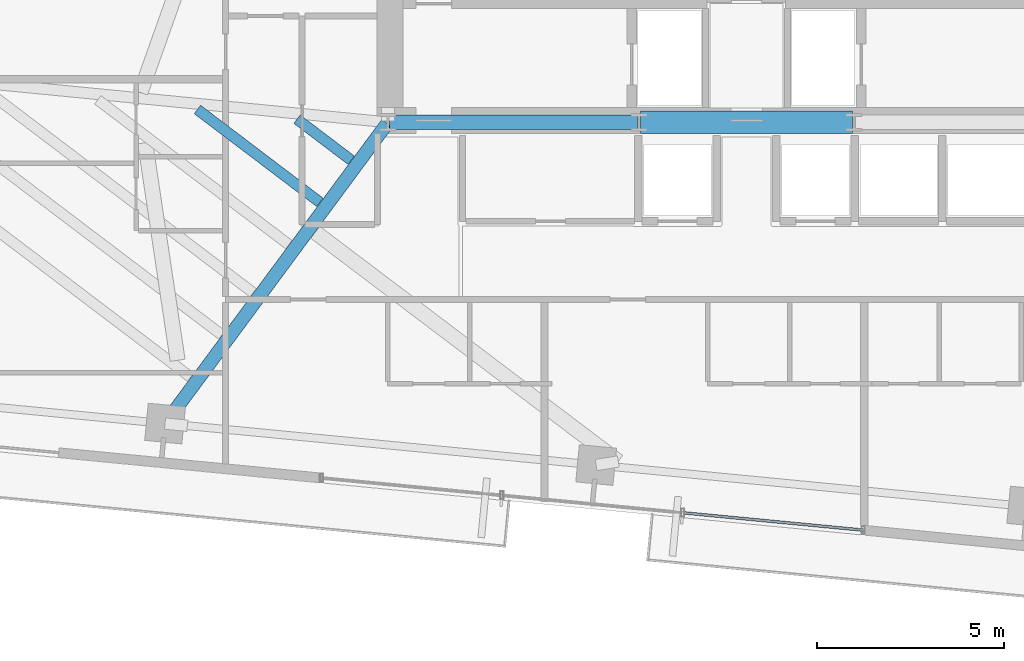
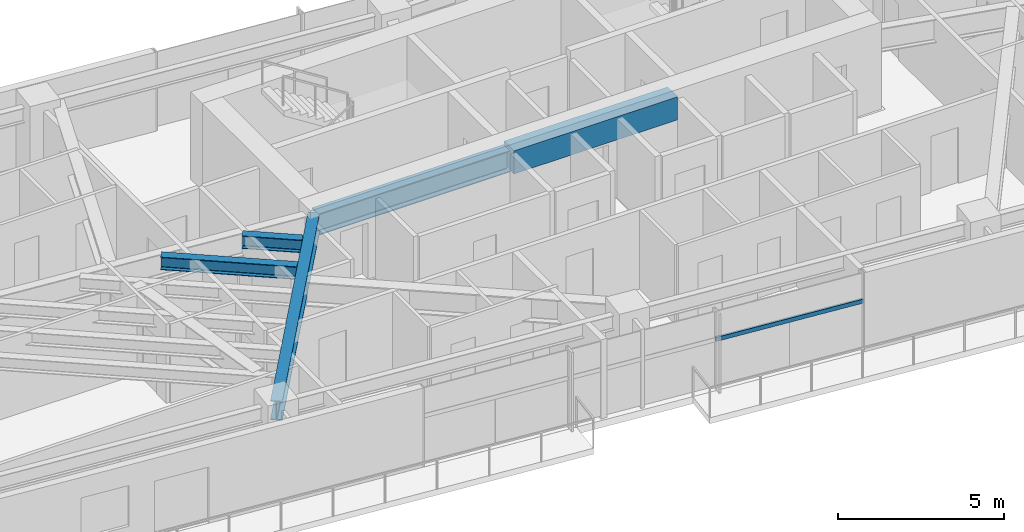
# One storey, part 5 of 20: 5 beams, 1 member, 1 element without a shape of its own.
"""IFC4 building model written with IfcOpenShell, lengths in metres."""

import ifcopenshell
import ifcopenshell.guid

model = None  # the IFC model being written
_history = None  # IfcOwnerHistory: only IFC2X3 demands one
_inside = {}  # id of a spatial element -> (the spatial element, [elements in it])
_under = {}  # id of a project, library or spatial element -> (it, [spatial elements below it])
_declared = {}  # id of a project -> (the project, [libraries it declares])
_typed = {}  # id of a type object -> (the type object, [elements of that type])
_made_of = {}  # id of a material, layer set ... -> (it, [elements and type objects made of it])


def new_model(schema):
    """Start an empty IFC model of exactly this schema.

    Asked for "IFC4X3", IfcOpenShell would pick the latest addendum, in which some entities
    have other attributes; the version numbers below select the first issue.
    IFC2X3 requires an IfcOwnerHistory on every rooted entity: one is made here for all.
    """
    global model, _history
    if schema == "IFC4X3":
        model = ifcopenshell.file(schema_version=(4, 3, 0, 0))
    else:
        model = ifcopenshell.file(schema=schema)
    _inside.clear()
    _under.clear()
    _declared.clear()
    _typed.clear()
    _made_of.clear()
    _history = None
    if model.schema == "IFC2X3":
        org = make("IfcOrganization", Name="unknown")
        user = make(
            "IfcPersonAndOrganization",
            ThePerson=make("IfcPerson", FamilyName="unknown"),
            TheOrganization=org,
        )
        app = make(
            "IfcApplication",
            ApplicationDeveloper=org,
            Version="unknown",
            ApplicationFullName="unknown",
            ApplicationIdentifier="unknown",
        )
        _history = make(
            "IfcOwnerHistory",
            OwningUser=user,
            OwningApplication=app,
            ChangeAction="ADDED",
            CreationDate=0,
        )
    return model


def make(cls, **values):
    """One entity of the class cls with the attributes given. An attribute that is None is left unset."""
    return model.create_entity(
        cls, **{name: value for name, value in values.items() if value is not None}
    )


def rooted(cls, **values):
    """An entity with a GlobalId (a new one), such as an element, a storey or a relation."""
    return make(cls, GlobalId=ifcopenshell.guid.new(), OwnerHistory=_history, **values)


def si_unit(unit_type, name, prefix=None):
    """IfcSIUnit, for example si_unit("LENGTHUNIT", "METRE", prefix="MILLI")."""
    return make("IfcSIUnit", UnitType=unit_type, Prefix=prefix, Name=name)


def assignment(units):
    """IfcUnitAssignment: the units of a project."""
    return None if units is None else make("IfcUnitAssignment", Units=units)


def point(xyz):
    """IfcCartesianPoint."""
    return None if xyz is None else make("IfcCartesianPoint", Coordinates=xyz)


def direction(xyz):
    """IfcDirection."""
    return None if xyz is None else make("IfcDirection", DirectionRatios=xyz)


def frame(location, z_axis=None, x_axis=None):
    """IfcAxis2Placement3D, a coordinate frame: its origin and axes. An axis left out is left unset."""
    return make(
        "IfcAxis2Placement3D",
        Location=point(location),
        Axis=direction(z_axis),
        RefDirection=direction(x_axis),
    )


def frame_2d(location, x_axis=None):
    """IfcAxis2Placement2D, a coordinate frame in the plane: its origin and x axis."""
    return make(
        "IfcAxis2Placement2D", Location=point(location), RefDirection=direction(x_axis)
    )


def origin():
    """The frame at (0, 0, 0) with its axes left unset."""
    return frame((0.0, 0.0, 0.0))


def origin_2d():
    """The frame at (0, 0) in the plane with its x axis left unset."""
    return frame_2d((0.0, 0.0))


def place(relative_to, where):
    """IfcLocalPlacement: puts the frame where relative to a parent placement (None: the world)."""
    return make(
        "IfcLocalPlacement", PlacementRelTo=relative_to, RelativePlacement=where
    )


def context(
    kind, dimensions, precision=None, world=None, true_north=None, identifier=None
):
    """IfcGeometricRepresentationContext, for example the 3D "Model" context."""
    return make(
        "IfcGeometricRepresentationContext",
        ContextIdentifier=identifier,
        ContextType=kind,
        CoordinateSpaceDimension=dimensions,
        Precision=precision,
        WorldCoordinateSystem=world,
        TrueNorth=true_north,
    )


def subcontext(parent, identifier, kind, view, scale=None):
    """IfcGeometricRepresentationSubContext, for example "Body" below "Model"."""
    return make(
        "IfcGeometricRepresentationSubContext",
        ContextIdentifier=identifier,
        ContextType=kind,
        ParentContext=parent,
        TargetScale=scale,
        TargetView=view,
    )


def project(units=None, contexts=None):
    """IfcProject with its units and contexts."""
    return rooted(
        "IfcProject",
        Name="project",
        RepresentationContexts=contexts,
        UnitsInContext=assignment(units),
    )


def spatial(cls, under=None, at=None, **own):
    """A site, building, storey or space (cls), placed at a placement, below another one or the project."""
    s = rooted(cls, ObjectPlacement=at, **own)
    if under is not None:
        _under.setdefault(under.id(), (under, []))[1].append(s)
    return s


def profile(cls, at=None, kind="AREA", **sizes):
    """A parametric profile (cls). Its sizes go by their IFC names, for example OverallWidth=200.0."""
    return make(cls, ProfileType=kind, Position=at, **sizes)


def rectangle(**sizes):
    """IfcRectangleProfileDef."""
    return profile("IfcRectangleProfileDef", **sizes)


def hollow_rectangle(**sizes):
    """IfcRectangleHollowProfileDef."""
    return profile("IfcRectangleHollowProfileDef", **sizes)


def i_section(**sizes):
    """IfcIShapeProfileDef."""
    return profile("IfcIShapeProfileDef", **sizes)


def extrude(swept, where, along, depth):
    """IfcExtrudedAreaSolid: the profile swept, set in the frame where, extruded along a direction by depth."""
    return make(
        "IfcExtrudedAreaSolid",
        SweptArea=swept,
        Position=where,
        ExtrudedDirection=direction(along),
        Depth=depth,
    )


def shape(context_of_items, identifier, shape_type, items):
    """IfcShapeRepresentation: the items that make up one representation, for example the "Body"."""
    return make(
        "IfcShapeRepresentation",
        ContextOfItems=context_of_items,
        RepresentationIdentifier=identifier,
        RepresentationType=shape_type,
        Items=items,
    )


def source(mapping_origin, context_of_items, identifier, shape_type, items):
    """IfcRepresentationMap: a shape defined once, which mapped items show again and again."""
    return make(
        "IfcRepresentationMap",
        MappingOrigin=mapping_origin,
        MappedRepresentation=shape(context_of_items, identifier, shape_type, items),
    )


def transform(
    local_origin,
    x_axis=None,
    y_axis=None,
    z_axis=None,
    scale=None,
    scale2=None,
    scale3=None,
    uniform=True,
):
    """IfcCartesianTransformationOperator3D, or its non-uniform kind. x_axis, y_axis, z_axis: its Axis1, 2, 3."""
    if uniform:
        return make(
            "IfcCartesianTransformationOperator3D",
            Axis1=direction(x_axis),
            Axis2=direction(y_axis),
            LocalOrigin=point(local_origin),
            Scale=scale,
            Axis3=direction(z_axis),
        )
    return make(
        "IfcCartesianTransformationOperator3DnonUniform",
        Axis1=direction(x_axis),
        Axis2=direction(y_axis),
        LocalOrigin=point(local_origin),
        Scale=scale,
        Axis3=direction(z_axis),
        Scale2=scale2,
        Scale3=scale3,
    )


def mapped(mapping_source, mapping_target):
    """IfcMappedItem: shows the shape of a source again, moved by a transform."""
    return make(
        "IfcMappedItem", MappingSource=mapping_source, MappingTarget=mapping_target
    )


def material(Name=None, Category=None):
    """IfcMaterial."""
    return make("IfcMaterial", Name=Name, Category=Category)


def material_profile(
    of_material, cross_section, Name=None, Category=None, Priority=None
):
    """IfcMaterialProfile: a cross section and its material."""
    return make(
        "IfcMaterialProfile",
        Name=Name,
        Material=of_material,
        Profile=cross_section,
        Priority=Priority,
        Category=Category,
    )


def profile_set(profiles, Name=None, composite=None):
    """IfcMaterialProfileSet."""
    return make(
        "IfcMaterialProfileSet",
        Name=Name,
        MaterialProfiles=profiles,
        CompositeProfile=composite,
    )


def made_of(thing, what):
    """Note that an element or type object is made of a material, layer set ...; save() writes the relation."""
    if what is not None:
        _made_of.setdefault(what.id(), (what, []))[1].append(thing)
    return thing


def type_object(cls, material=None, **own):
    """A type object (cls), such as IfcWallType, which elements share."""
    return made_of(rooted(cls, **own), material)


def type_shapes(of_type, sources):
    """Give a type object the sources (RepresentationMaps) that its elements show as mapped items."""
    of_type.RepresentationMaps = sources


def element(
    cls,
    number,
    at=None,
    inside=None,
    cuts=None,
    type_object=None,
    material=None,
    context=None,
    identifier="Body",
    shape_type=None,
    held_by="IfcProductDefinitionShape",
    body=None,
    shapes=None,
    **own,
):
    """One element of the class cls, such as IfcWall. Its Tag is "e" and its number.

    at: its placement. inside: the storey or other place that contains it. cuts: it is an
    opening in that element (IfcRelVoidsElement). A single representation is given by context,
    identifier, shape_type and body (its items); several are given by shapes. held_by: the class
    of the entity that holds the representations. save() writes the other relations.
    """
    e = rooted(cls, Tag="e%d" % number, ObjectPlacement=at, **own)
    if body is not None:
        shapes = [shape(context, identifier, shape_type, body)]
    if shapes is not None:
        e.Representation = make(held_by, Representations=shapes)
    if inside is not None:
        _inside.setdefault(inside.id(), (inside, []))[1].append(e)
    if cuts is not None:
        rooted(
            "IfcRelVoidsElement", RelatingBuildingElement=cuts, RelatedOpeningElement=e
        )
    if type_object is not None:
        _typed.setdefault(type_object.id(), (type_object, []))[1].append(e)
    return made_of(e, material)


def aggregate(whole, parts):
    """IfcRelAggregates: a whole, such as a stair, and the parts it consists of."""
    return rooted("IfcRelAggregates", RelatingObject=whole, RelatedObjects=parts)


def save(model, path):
    """Write the relations noted so far, then the file.

    IfcRelAggregates (storeys below a building ...), IfcRelContainedInSpatialStructure (elements
    in a storey), IfcRelDefinesByType, IfcRelAssociatesMaterial and IfcRelDeclares: one each for
    every whole, place, type object, material and project.
    """
    for whole, parts in _under.values():
        aggregate(whole, parts)
    for where, things in _inside.values():
        rooted(
            "IfcRelContainedInSpatialStructure",
            RelatedElements=things,
            RelatingStructure=where,
        )
    for kind, things in _typed.values():
        rooted("IfcRelDefinesByType", RelatedObjects=things, RelatingType=kind)
    for what, things in _made_of.values():
        rooted("IfcRelAssociatesMaterial", RelatedObjects=things, RelatingMaterial=what)
    for by, libraries in _declared.values():
        rooted("IfcRelDeclares", RelatingContext=by, RelatedDefinitions=libraries)
    model.write(path)


model = new_model("IFC4")

# Units and contexts
model_context = context("Model", 3, precision=1e-05, world=origin(), true_north=direction((0.0, 1.0)))
body_context = subcontext(model_context, "Body", "Model", "MODEL_VIEW")
ifc_project = project(units=[si_unit("LENGTHUNIT", "METRE"), si_unit("AREAUNIT", "SQUARE_METRE"), si_unit("VOLUMEUNIT", "CUBIC_METRE"), si_unit("PLANEANGLEUNIT", "RADIAN"), si_unit("MASSUNIT", "GRAM", prefix="KILO")], contexts=[model_context])

# Site, building, storey
site_placement = place(None, origin())
site = spatial("IfcSite", under=ifc_project, at=site_placement, CompositionType="ELEMENT")
building_placement = place(site_placement, origin())
building = spatial("IfcBuilding", under=site, at=building_placement, Name="Astriad Promenade Condominiums", CompositionType="ELEMENT")
storey_placement = place(building_placement, frame((0.0, 0.0, 159.800048828125)))
storey = spatial("IfcBuildingStorey", under=building, at=storey_placement, Name="L46", CompositionType="ELEMENT", Elevation=159.800048828125)

# Beams
ifc_material_1 = material(Name="Steel ASTM A992 Grade 50", Category="steel")
ifc_material_profile_1 = material_profile(ifc_material_1, i_section(OverallWidth=0.3837890625, OverallDepth=0.785888671875, WebThickness=0.019775390625, FlangeThickness=0.033447265625, FilletRadius=0.021484375, at=origin_2d()), Name="W30X211")
ifc_profile_set_1 = profile_set([ifc_material_profile_1], Name="Steel ASTM A992 Grade 50")
beam_type_1 = type_object("IfcBeamType", Name="STEEL FLOOR GIRDER W30X211", PredefinedType="BEAM", material=ifc_profile_set_1)
shared_shape_1 = source(origin(), body_context, "Body", "SweptSolid", [
    extrude(i_section(OverallWidth=0.3837890625, OverallDepth=0.785888671875, WebThickness=0.019775390625, FlangeThickness=0.033447265625, FilletRadius=0.021484375, at=origin_2d()), origin(), (0.0, 0.0, 1.0), 6.64013671875),
])
type_shapes(beam_type_1, [shared_shape_1])
beam_1_placement = place(storey_placement, frame((26.43994140625, 17.39990234375, 2.5068359375), z_axis=(1.0, 0.0, 0.0), x_axis=(0.0, 1.0, 0.0)))
element("IfcBeam", 1, at=beam_1_placement, inside=storey, type_object=beam_type_1, Name="Core Ring Beam CG-S1-L46", PredefinedType="BEAM", context=body_context, shape_type="MappedRepresentation", body=[
    mapped(shared_shape_1, transform((0.0, 0.0, 0.0), scale=1.0)),
])
ifc_material_profile_2 = material_profile(ifc_material_1, i_section(OverallWidth=0.35791015625, OverallDepth=0.706298828125, WebThickness=0.018310546875, FlangeThickness=0.0302734375, FilletRadius=0.020263671875, at=origin_2d()), Name="W27X178")
ifc_profile_set_2 = profile_set([ifc_material_profile_2], Name="Steel ASTM A992 Grade 50")
beam_type_2 = type_object("IfcBeamType", Name="STEEL FLOOR GIRDER W27X178", PredefinedType="BEAM", material=ifc_profile_set_2)
shared_shape_2 = source(origin(), body_context, "Body", "SweptSolid", [
    extrude(i_section(OverallWidth=0.35791015625, OverallDepth=0.706298828125, WebThickness=0.018310546875, FlangeThickness=0.0302734375, FilletRadius=0.020263671875, at=origin_2d()), origin(), (0.0, 0.0, 1.0), 9.958984375),
])
type_shapes(beam_type_2, [shared_shape_2])
beam_2_placement = place(storey_placement, frame((20.450927734375, 9.363525390625, 2.546630859375), z_axis=(0.59497542442, 0.803743892255, 0.0), x_axis=(-0.803743892255, 0.59497542442, 0.0)))
element("IfcBeam", 2, at=beam_2_placement, inside=storey, type_object=beam_type_2, Name="Primary Floor Girder PG-W2-L46", PredefinedType="BEAM", context=body_context, shape_type="MappedRepresentation", body=[
    mapped(shared_shape_2, transform((0.0, 0.0, 0.0), scale=1.0)),
])
ifc_material_2 = material(Name="Concrete C60/75", Category="concrete")
ifc_material_profile_3 = material_profile(ifc_material_2, rectangle(XDim=0.60009765625, YDim=0.85009765625, at=origin_2d()), Name="RC-BM-600X850")
ifc_profile_set_3 = profile_set([ifc_material_profile_3], Name="Concrete C60/75")
beam_type_3 = type_object("IfcBeamType", Name="CONCRETE CORE COUPLING LINTEL 600X850", PredefinedType="LINTEL", material=ifc_profile_set_3)
shared_shape_3 = source(origin(), body_context, "Body", "SweptSolid", [
    extrude(rectangle(XDim=0.60009765625, YDim=0.85009765625, at=origin_2d()), origin(), (0.0, 0.0, 1.0), 5.68017578125),
])
type_shapes(beam_type_3, [shared_shape_3])
beam_3_placement = place(storey_placement, frame((33.159912109375, 17.39990234375, 2.5048828125), z_axis=(1.0, 0.0, 0.0), x_axis=(0.0, 1.0, 0.0)))
element("IfcBeam", 3, at=beam_3_placement, inside=storey, type_object=beam_type_3, Name="Core Ring Beam CG-S2-L46", PredefinedType="LINTEL", context=body_context, shape_type="MappedRepresentation", body=[
    mapped(shared_shape_3, transform((0.0, 0.0, 0.0), scale=1.0)),
])
ifc_material_profile_4 = material_profile(ifc_material_1, i_section(OverallWidth=0.283203125, OverallDepth=0.47216796875, WebThickness=0.013671875, FlangeThickness=0.022216796875, FilletRadius=0.01513671875, at=origin_2d()), Name="W18X97")
ifc_profile_set_4 = profile_set([ifc_material_profile_4], Name="Steel ASTM A992 Grade 50")
beam_type_4 = type_object("IfcBeamType", Name="STEEL FLOOR JOIST W18X97", PredefinedType="JOIST", material=ifc_profile_set_4)
shared_shape_4 = source(origin(), body_context, "Body", "SweptSolid", [
    extrude(i_section(OverallWidth=0.283203125, OverallDepth=0.47216796875, WebThickness=0.013671875, FlangeThickness=0.022216796875, FilletRadius=0.01513671875, at=origin_2d()), origin(), (0.0, 0.0, 1.0), 4.12109375),
])
beam_4_placement = place(storey_placement, frame((21.292724609375, 17.744140625, 2.663818359375), z_axis=(0.796968568798, -0.604020778077, 0.0), x_axis=(0.604020778077, 0.796968568798, 0.0)))
element("IfcBeam", 4, at=beam_4_placement, inside=storey, type_object=beam_type_4, Name="Secondary Composite Floor Joist JW1-5-L46", PredefinedType="JOIST", context=body_context, shape_type="MappedRepresentation", body=[
    mapped(shared_shape_4, transform((0.0, 0.0, 0.0), scale=1.0)),
])
shared_shape_5 = source(origin(), body_context, "Body", "SweptSolid", [
    extrude(i_section(OverallWidth=0.283203125, OverallDepth=0.47216796875, WebThickness=0.013671875, FlangeThickness=0.022216796875, FilletRadius=0.01513671875, at=origin_2d()), origin(), (0.0, 0.0, 1.0), 1.82177734375),
])
type_shapes(beam_type_4, [shared_shape_4, shared_shape_5])
beam_5_placement = place(storey_placement, frame((23.96142578125, 17.48486328125, 2.663818359375), z_axis=(0.796982671853, -0.604002169504, 0.0), x_axis=(0.604002169504, 0.796982671853, 0.0)))
element("IfcBeam", 5, at=beam_5_placement, inside=storey, type_object=beam_type_4, Name="Secondary Composite Floor Joist JW1-6-L46", PredefinedType="JOIST", context=body_context, shape_type="MappedRepresentation", body=[
    mapped(shared_shape_5, transform((0.0, 0.0, 0.0), scale=1.0)),
])

# Curtain wall, member
ifc_material_3 = material(Name="Anodised aluminium Black Dark Glass Unitised", Category="aluminium")
curtain_wall_type = type_object("IfcCurtainWallType", Name="CW-B34-DARK", PredefinedType="USERDEFINED", material=ifc_material_3)
curtain_wall_placement = place(storey_placement, origin())
curtain_wall = element("IfcCurtainWall", 6, at=curtain_wall_placement, inside=storey, type_object=curtain_wall_type, Name="CW-L46-S", ObjectType="UNITISED_CURTAIN_WALL", PredefinedType="USERDEFINED")
ifc_material_4 = material(Name="Anodised aluminium 6063-T6 Black", Category="aluminium")
ifc_material_profile_5 = material_profile(ifc_material_4, hollow_rectangle(XDim=0.074951171875, YDim=0.14990234375, WallThickness=0.004150390625, at=origin_2d()), Name="ALU-TRN-75X150")
ifc_profile_set_5 = profile_set([ifc_material_profile_5], Name="Anodised aluminium 6063-T6 Black")
member_type = type_object("IfcMemberType", Name="TRN-ALU-TRN-75X150", PredefinedType="USERDEFINED", material=ifc_profile_set_5)
shared_shape_6 = source(origin(), body_context, "Body", "SweptSolid", [
    extrude(hollow_rectangle(XDim=0.074951171875, YDim=0.14990234375, WallThickness=0.004150390625, at=origin_2d()), origin(), (0.0, 0.0, 1.0), 4.860107421875),
])
type_shapes(member_type, [shared_shape_6])
member_placement = place(storey_placement, frame((39.129638671875, 6.475830078125, 1.7978515625), z_axis=(-0.995396042559, 0.095847370639, 0.0), x_axis=(-0.095847370639, -0.995396042559, 0.0)))
member = element("IfcMember", 7, at=member_placement, type_object=member_type, Name="CW-L46-S-TRN-00-0", ObjectType="TRANSOM", PredefinedType="USERDEFINED", context=body_context, shape_type="MappedRepresentation", body=[
    mapped(shared_shape_6, transform((0.0, 0.0, 0.0), scale=1.0)),
])
aggregate(curtain_wall, [member])

save(model, "model.ifc")
